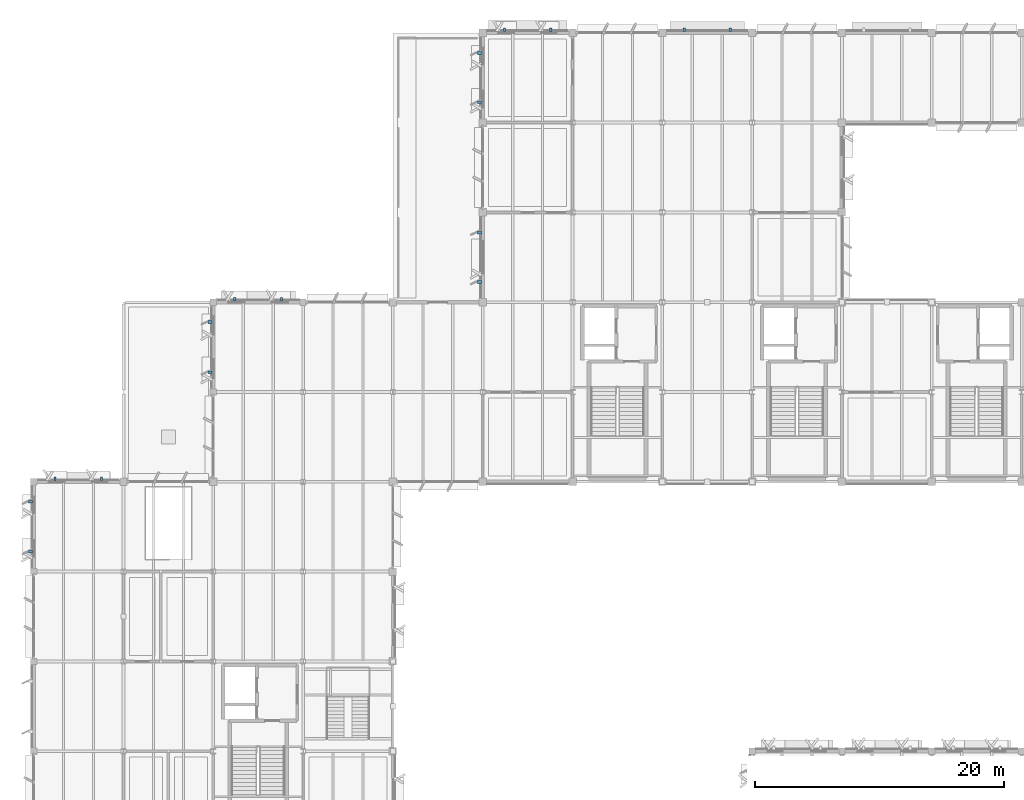
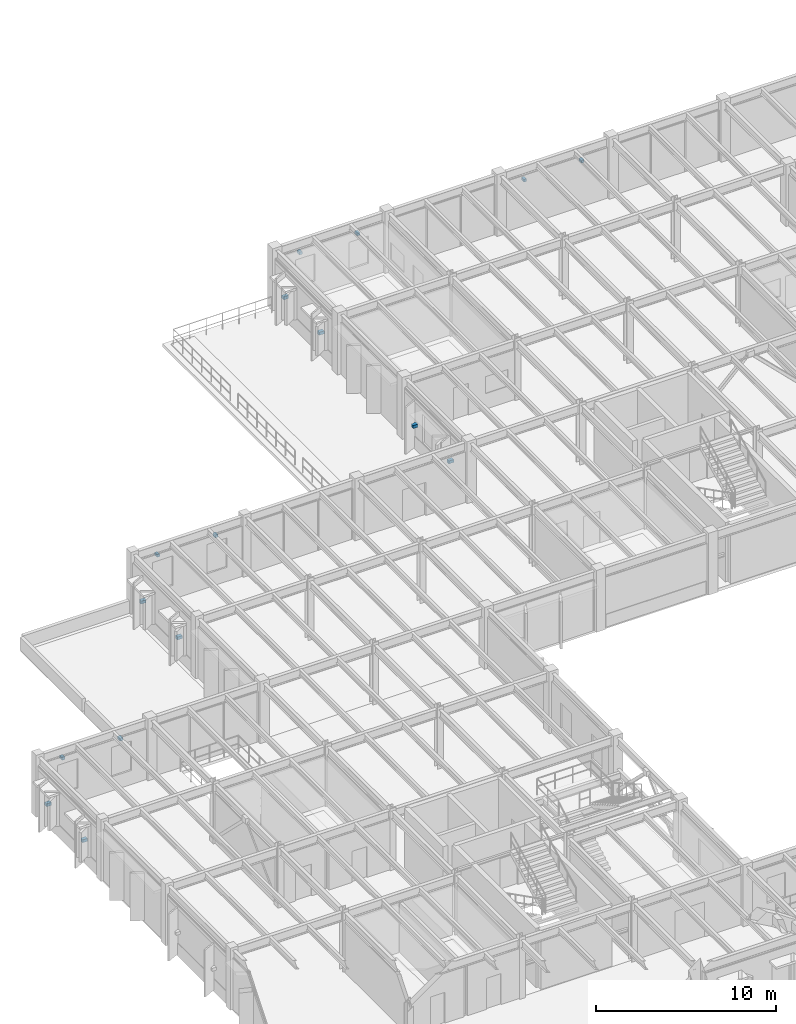
# One storey, part 47 of 85: 16 discrete accessories.
"""IFC4 building model written with IfcOpenShell, lengths in metres."""

from ifc_helpers import new_model, si_unit, direction, frame, origin, origin_2d, place, context, subcontext, project, spatial, rectangle, extrude, material, type_object, element, save


model = new_model("IFC4")

# Units and contexts
model_context = context("Model", 3, precision=1e-05, world=origin(), true_north=direction((0.0, 1.0)))
body_context = subcontext(model_context, "Body", "Model", "MODEL_VIEW")
ifc_project = project(units=[si_unit("LENGTHUNIT", "METRE"), si_unit("AREAUNIT", "SQUARE_METRE"), si_unit("VOLUMEUNIT", "CUBIC_METRE"), si_unit("PLANEANGLEUNIT", "RADIAN"), si_unit("MASSUNIT", "GRAM", prefix="KILO")], contexts=[model_context])

# Site, building, storey
site_placement = place(None, origin())
site = spatial("IfcSite", under=ifc_project, at=site_placement, CompositionType="ELEMENT")
building_placement = place(site_placement, origin())
building = spatial("IfcBuilding", under=site, at=building_placement, Name="Sillqori Civic Hall", CompositionType="ELEMENT")
storey_placement = place(building_placement, frame((0.0, 0.0, 9.89990234375)))
storey = spatial("IfcBuildingStorey", under=building, at=storey_placement, Name="L03", CompositionType="ELEMENT", Elevation=9.89990234375)

# Discrete accessories
ifc_material = material(Name="Steel ASTM A572 Grade 50", Category="steel")
discrete_accessory_type_1 = type_object("IfcDiscreteAccessoryType", Name="BRK-FAC-240", PredefinedType="BRACKET", material=ifc_material)
for number, where, z_axis, x_axis, name in (
    (1, (8.9130859375, 79.43994140625, 3.0), (0.0, 0.0, 1.0), (1.0, 0.0, 0.0), "Sun-hood steel bracket L03-01-10-N.1"),
    (2, (12.636962890625, 79.43994140625, 3.0), (0.0, 0.0, 1.0), (1.0, 0.0, 0.0), "Sun-hood steel bracket L03-01-10-N.2"),
    (3, (23.323974609375, 93.85009765625, 3.0), (0.0, 0.0, 1.0), (1.0, 0.0, 0.0), "Sun-hood steel bracket L03-03-12-N.1"),
    (4, (27.075927734375, 93.85009765625, 3.0), (0.0, 0.0, 1.0), (1.0, 0.0, 0.0), "Sun-hood steel bracket L03-03-12-N.2"),
    (5, (44.951904296875, 115.449951171875, 2.85009765625), (0.0, 0.0, 1.0), (1.0, 0.0, 0.0), "Sun-hood steel bracket L03-06-15-N.1"),
    (6, (48.64794921875, 115.449951171875, 2.85009765625), (0.0, 0.0, 1.0), (1.0, 0.0, 0.0), "Sun-hood steel bracket L03-06-15-N.2"),
    (7, (59.35205078125, 115.449951171875, 2.75), (0.0, 0.0, 1.0), (1.0, 0.0, 0.0), "Sun-hood steel bracket L03-08-15-N.1"),
    (8, (63.048095703125, 115.449951171875, 2.75), (0.0, 0.0, 1.0), (1.0, 0.0, 0.0), "Sun-hood steel bracket L03-08-15-N.2"),
):
    element("IfcDiscreteAccessory", number, at=place(storey_placement, frame(where, z_axis=z_axis, x_axis=x_axis)), inside=storey, type_object=discrete_accessory_type_1, Name=name, PredefinedType="BRACKET", context=body_context, shape_type="SweptSolid", body=[
        extrude(rectangle(XDim=0.179931640625, YDim=0.280029296875, at=origin_2d()), origin(), (0.0, 0.0, 1.0), 0.179931640625),
    ])
discrete_accessory_type_2 = type_object("IfcDiscreteAccessoryType", Name="BRK-FIN-280", PredefinedType="BRACKET", material=ifc_material)
for number, where, z_axis, x_axis, name in (
    (9, (6.949951171875, 73.590087890625, 1.6435546875), (0.0, 0.0, 1.0), (0.0, 1.0, 0.0), "Brise-soleil fin steel bracket L03-01-10-W.1"),
    (10, (6.949951171875, 77.610107421875, 1.6435546875), (0.0, 0.0, 1.0), (0.0, 1.0, 0.0), "Brise-soleil fin steel bracket L03-01-10-W.2"),
    (11, (21.340087890625, 87.989990234375, 1.6337890625), (0.0, 0.0, 1.0), (0.0, 1.0, 0.0), "Brise-soleil fin steel bracket L03-03-12-W.1"),
    (12, (21.340087890625, 92.010009765625, 1.6337890625), (0.0, 0.0, 1.0), (0.0, 1.0, 0.0), "Brise-soleil fin steel bracket L03-03-12-W.2"),
    (13, (42.93994140625, 95.219970703125, 1.6435546875), (0.0, 0.0, 1.0), (0.0, 1.0, 0.0), "Brise-soleil fin steel bracket L03-06-13-W.1"),
    (14, (42.93994140625, 99.179931640625, 1.6435546875), (0.0, 0.0, 1.0), (0.0, 1.0, 0.0), "Brise-soleil fin steel bracket L03-06-13-W.2"),
    (15, (42.93994140625, 109.6201171875, 1.6435546875), (0.0, 0.0, 1.0), (0.0, 1.0, 0.0), "Brise-soleil fin steel bracket L03-06-15-W.1"),
    (16, (42.93994140625, 113.580078125, 1.6435546875), (0.0, 0.0, 1.0), (0.0, 1.0, 0.0), "Brise-soleil fin steel bracket L03-06-15-W.2"),
):
    element("IfcDiscreteAccessory", number, at=place(storey_placement, frame(where, z_axis=z_axis, x_axis=x_axis)), inside=storey, type_object=discrete_accessory_type_2, Name=name, PredefinedType="BRACKET", context=body_context, shape_type="SweptSolid", body=[
        extrude(rectangle(XDim=0.219970703125, YDim=0.320068359375, at=origin_2d()), origin(), (0.0, 0.0, 1.0), 0.199951171875),
    ])

save(model, "model.ifc")
